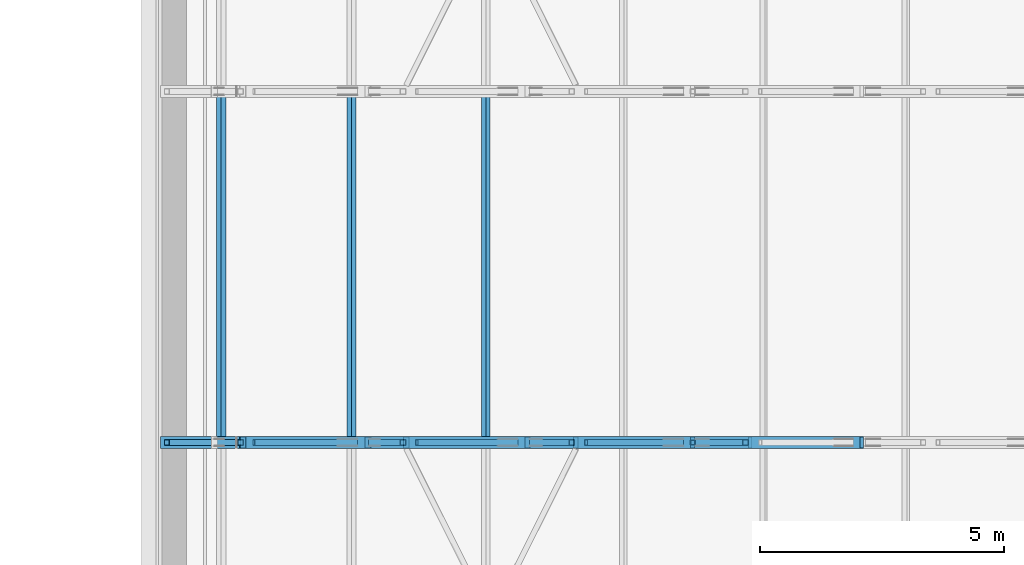
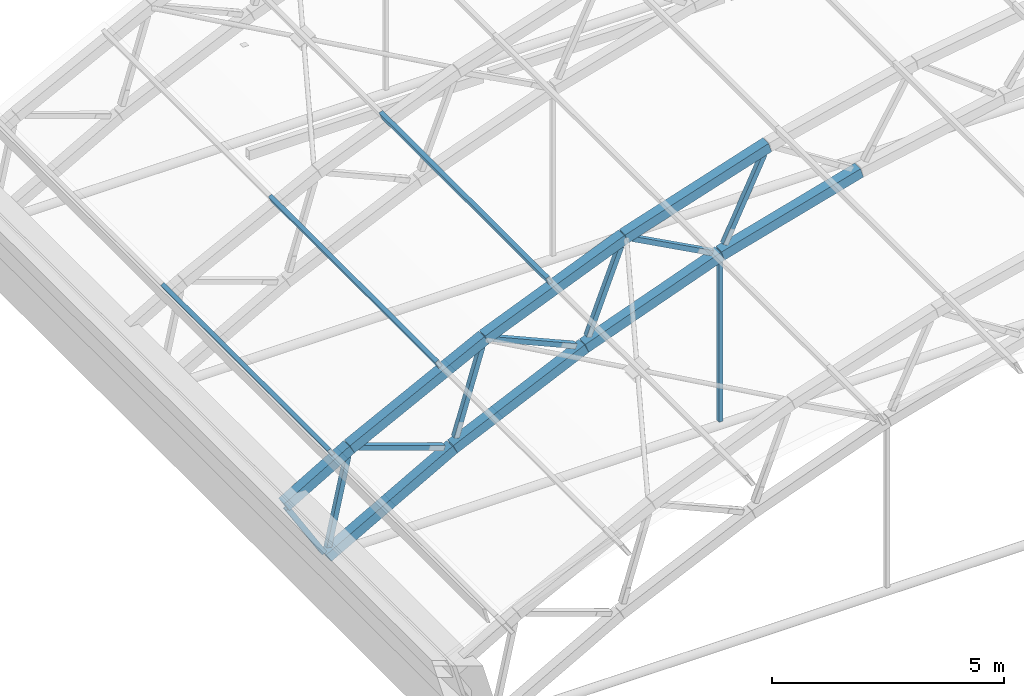
# One storey, part 11 of 127: 20 members.
"""IFC4 building model written with IfcOpenShell, lengths in metres."""

from ifc_helpers import new_model, si_unit, direction, frame, origin, origin_2d, place, context, subcontext, project, spatial, hollow_rectangle, extrude, material, material_profile, profile_set, type_object, element, save


model = new_model("IFC4")

# Units and contexts
model_context = context("Model", 3, precision=1e-05, world=origin(), true_north=direction((0.0, 1.0)))
body_context = subcontext(model_context, "Body", "Model", "MODEL_VIEW")
ifc_project = project(units=[si_unit("LENGTHUNIT", "METRE"), si_unit("AREAUNIT", "SQUARE_METRE"), si_unit("VOLUMEUNIT", "CUBIC_METRE"), si_unit("PLANEANGLEUNIT", "RADIAN"), si_unit("MASSUNIT", "GRAM", prefix="KILO")], contexts=[model_context])

# Site, building, storey
site_placement = place(None, origin())
site = spatial("IfcSite", under=ifc_project, at=site_placement, CompositionType="ELEMENT")
building_placement = place(site_placement, origin())
building = spatial("IfcBuilding", under=site, at=building_placement, Name="Verrick Yard Athletic Hall", CompositionType="ELEMENT")
storey_placement = place(building_placement, frame((0.0, 0.0, 14.0)))
storey = spatial("IfcBuildingStorey", under=building, at=storey_placement, Name="L03", CompositionType="ELEMENT", Elevation=14.0)

# Members
ifc_material = material(Name="Structural steel HSS Class C 350W (CSA G40.20/G40.21)", Category="steel")
ifc_material_profile_1 = material_profile(ifc_material, hollow_rectangle(XDim=0.25390625, YDim=0.25390625, WallThickness=0.009521484375, at=origin_2d()), Name="HSS254x254x9.5")
ifc_profile_set_1 = profile_set([ifc_material_profile_1], Name="Structural steel HSS Class C 350W (CSA G40.20/G40.21)")
member_type_1 = type_object("IfcMemberType", Name="HB bottom chord HSS254x254x9.5", PredefinedType="CHORD", material=ifc_profile_set_1)
member_1_placement = place(storey_placement, frame((28.0, 93.60009765625, 0.0), z_axis=(0.872881488331, 0.0, 0.4879322774), x_axis=(0.0, 1.0, 0.0)))
element("IfcMember", 1, at=member_1_placement, inside=storey, type_object=member_type_1, Name="Truss TB4 bottom chord 1", PredefinedType="CHORD", context=body_context, shape_type="SweptSolid", body=[
    extrude(hollow_rectangle(XDim=0.25390625, YDim=0.25390625, WallThickness=0.009521484375, at=origin_2d()), origin(), (0.0, 0.0, 1.0), 3.60107421875),
])
member_2_placement = place(storey_placement, frame((31.15234375, 93.60009765625, 1.761474609375), z_axis=(0.908445597889, 0.0, 0.418003104865), x_axis=(0.0, 1.0, 0.0)))
element("IfcMember", 2, at=member_2_placement, inside=storey, type_object=member_type_1, Name="Truss TB4 bottom chord 2", PredefinedType="CHORD", context=body_context, shape_type="SweptSolid", body=[
    extrude(hollow_rectangle(XDim=0.25390625, YDim=0.25390625, WallThickness=0.009521484375, at=origin_2d()), origin(), (0.0, 0.0, 1.0), 3.59619140625),
])
for number, where, z_axis, x_axis, name in (
    (3, (34.42822265625, 93.60009765625, 3.2685546875), (0.938394107905, 0.0, 0.345566922966), (0.0, 1.0, 0.0), "Truss TB4 bottom chord 3"),
    (4, (37.812255859375, 93.60009765625, 4.514404296875), (0.962572378456, 0.0, 0.271024752066), (0.0, 1.0, 0.0), "Truss TB4 bottom chord 4"),
):
    element("IfcMember", number, at=place(storey_placement, frame(where, z_axis=z_axis, x_axis=x_axis)), inside=storey, type_object=member_type_1, Name=name, PredefinedType="CHORD", context=body_context, shape_type="SweptSolid", body=[
        extrude(hollow_rectangle(XDim=0.25390625, YDim=0.25390625, WallThickness=0.009521484375, at=origin_2d()), origin(), (0.0, 0.0, 1.0), 3.595947265625),
    ])
ifc_material_profile_2 = material_profile(ifc_material, hollow_rectangle(XDim=0.1015625, YDim=0.203125, WallThickness=0.009521484375, at=origin_2d()), Name="HSS203x102x9.5")
ifc_profile_set_2 = profile_set([ifc_material_profile_2], Name="Structural steel HSS Class C 350W (CSA G40.20/G40.21)")
member_type_2 = type_object("IfcMemberType", Name="HB purlin HSS203x102x9.5", PredefinedType="PURLIN", material=ifc_profile_set_2)
for number, where, z_axis, x_axis, name in (
    (5, (28.1357421875, 93.60009765625, 2.660888671875), (0.0, 1.0, 0.0), (-0.86316809178, 0.0, -0.504916671673), "HB-PU-B-4-1"),
    (6, (30.81103515625, 93.60009765625, 4.046875), (0.0, 1.0, 0.0), (-0.891352741199, 0.0, -0.453310369126), "HB-PU-B-4-2"),
    (7, (33.56201171875, 93.60009765625, 5.2822265625), (0.0, 1.0, 0.0), (-0.924122791552, 0.0, -0.382095624331), "HB-PU-B-4-3"),
):
    element("IfcMember", number, at=place(storey_placement, frame(where, z_axis=z_axis, x_axis=x_axis)), inside=storey, type_object=member_type_2, Name=name, PredefinedType="PURLIN", context=body_context, shape_type="SweptSolid", body=[
        extrude(hollow_rectangle(XDim=0.1015625, YDim=0.203125, WallThickness=0.009521484375, at=origin_2d()), origin(), (0.0, 0.0, 1.0), 7.199951171875),
    ])
ifc_material_profile_3 = material_profile(ifc_material, hollow_rectangle(XDim=0.25390625, YDim=0.25390625, WallThickness=0.009521484375, at=origin_2d()), Name="HSS254x254x9.5")
ifc_profile_set_3 = profile_set([ifc_material_profile_3], Name="Structural steel HSS Class C 350W (CSA G40.20/G40.21)")
member_type_3 = type_object("IfcMemberType", Name="HB top chord HSS254x254x9.5", PredefinedType="CHORD", material=ifc_profile_set_3)
member_3_placement = place(storey_placement, frame((26.95654296875, 93.60009765625, 1.706298828125), z_axis=(0.863174775639, 0.0, 0.504905245269), x_axis=(0.0, 1.0, 0.0)))
element("IfcMember", 8, at=member_3_placement, inside=storey, type_object=member_type_3, Name="Truss TB4 top chord 1", PredefinedType="CHORD", context=body_context, shape_type="SweptSolid", body=[
    extrude(hollow_rectangle(XDim=0.25390625, YDim=0.25390625, WallThickness=0.009521484375, at=origin_2d()), origin(), (0.0, 0.0, 1.0), 1.878173828125),
])
member_4_placement = place(storey_placement, frame((28.584228515625, 93.60009765625, 2.657958984375), z_axis=(0.891336584454, 0.0, 0.453342137037), x_axis=(0.0, 1.0, 0.0)))
element("IfcMember", 9, at=member_4_placement, inside=storey, type_object=member_type_3, Name="Truss TB4 top chord 2", PredefinedType="CHORD", context=body_context, shape_type="SweptSolid", body=[
    extrude(hollow_rectangle(XDim=0.25390625, YDim=0.25390625, WallThickness=0.009521484375, at=origin_2d()), origin(), (0.0, 0.0, 1.0), 3.754150390625),
])
for number, where, z_axis, x_axis, name in (
    (10, (31.939453125, 93.60009765625, 4.364013671875), (0.924130129149, 0.0, 0.382077877402), (0.0, 1.0, 0.0), "Truss TB4 top chord 3"),
    (11, (35.4169921875, 93.60009765625, 5.80126953125), (0.951202693453, 0.0, 0.308566744754), (0.0, 1.0, 0.0), "Truss TB4 top chord 4"),
):
    element("IfcMember", number, at=place(storey_placement, frame(where, z_axis=z_axis, x_axis=x_axis)), inside=storey, type_object=member_type_3, Name=name, PredefinedType="CHORD", context=body_context, shape_type="SweptSolid", body=[
        extrude(hollow_rectangle(XDim=0.25390625, YDim=0.25390625, WallThickness=0.009521484375, at=origin_2d()), origin(), (0.0, 0.0, 1.0), 3.752685546875),
    ])
ifc_material_profile_4 = material_profile(ifc_material, hollow_rectangle(XDim=0.126953125, YDim=0.126953125, WallThickness=0.009521484375, at=origin_2d()), Name="HSS127x127x9.5")
ifc_profile_set_4 = profile_set([ifc_material_profile_4], Name="Structural steel HSS Class C 350W (CSA G40.20/G40.21)")
member_type_4 = type_object("IfcMemberType", Name="HB truss end post HSS127x127x9.5", PredefinedType="POST", material=ifc_profile_set_4)
member_5_placement = place(storey_placement, frame((27.932373046875, 93.60009765625, 0.110595703125), z_axis=(-0.521773101112, 0.0, 0.853084304718), x_axis=(0.0, -1.0, 0.0)))
element("IfcMember", 12, at=member_5_placement, inside=storey, type_object=member_type_4, Name="Truss TB4 end post 1", PredefinedType="POST", context=body_context, shape_type="SweptSolid", body=[
    extrude(hollow_rectangle(XDim=0.126953125, YDim=0.126953125, WallThickness=0.009521484375, at=origin_2d()), origin(), (0.0, 0.0, 1.0), 1.741943359375),
])
ifc_material_profile_5 = material_profile(ifc_material, hollow_rectangle(XDim=0.1015625, YDim=0.1015625, WallThickness=0.00634765625, at=origin_2d()), Name="HSS102x102x6.4")
ifc_profile_set_5 = profile_set([ifc_material_profile_5], Name="Structural steel HSS Class C 350W (CSA G40.20/G40.21)")
member_type_5 = type_object("IfcMemberType", Name="HB truss hanger HSS102x102x6.4", PredefinedType="MEMBER", material=ifc_profile_set_5)
member_6_placement = place(storey_placement, frame((37.807373046875, 93.60009765625, 4.35888671875), z_axis=(0.0, 0.0, -1.0), x_axis=(0.0, -1.0, 0.0)))
element("IfcMember", 13, at=member_6_placement, inside=storey, type_object=member_type_5, Name="Truss TB4 hanger 1", PredefinedType="MEMBER", context=body_context, shape_type="SweptSolid", body=[
    extrude(hollow_rectangle(XDim=0.1015625, YDim=0.1015625, WallThickness=0.00634765625, at=origin_2d()), origin(), (0.0, 0.0, 1.0), 4.249267578125),
])
ifc_material_profile_6 = material_profile(ifc_material, hollow_rectangle(XDim=0.126953125, YDim=0.126953125, WallThickness=0.009521484375, at=origin_2d()), Name="HSS127x127x9.5")
ifc_profile_set_6 = profile_set([ifc_material_profile_6], Name="Structural steel HSS Class C 350W (CSA G40.20/G40.21)")
member_type_6 = type_object("IfcMemberType", Name="HB truss web HSS127x127x9.5", PredefinedType="BRACE", material=ifc_profile_set_6)
member_7_placement = place(storey_placement, frame((28.04833984375, 93.60009765625, 0.220703125), z_axis=(0.213603528569, 0.0, 0.976920433087), x_axis=(0.0, 1.0, 0.0)))
element("IfcMember", 14, at=member_7_placement, inside=storey, type_object=member_type_6, Name="Truss end diagonal TB4-1", PredefinedType="BRACE", context=body_context, shape_type="SweptSolid", body=[
    extrude(hollow_rectangle(XDim=0.126953125, YDim=0.126953125, WallThickness=0.009521484375, at=origin_2d()), origin(), (0.0, 0.0, 1.0), 2.261962890625),
])
member_8_placement = place(storey_placement, frame((28.804443359375, 93.60009765625, 2.578369140625), z_axis=(0.944015035532, 0.0, -0.329902429045), x_axis=(0.0, 1.0, 0.0)))
element("IfcMember", 15, at=member_8_placement, inside=storey, type_object=member_type_6, Name="Truss TB4 web 2", PredefinedType="BRACE", context=body_context, shape_type="SweptSolid", body=[
    extrude(hollow_rectangle(XDim=0.126953125, YDim=0.126953125, WallThickness=0.009521484375, at=origin_2d()), origin(), (0.0, 0.0, 1.0), 2.2333984375),
])
for number, where, z_axis, x_axis, name in (
    (16, (31.2197265625, 93.60009765625, 1.99755859375), (0.289443070658, 0.0, 0.957195230268), (0.0, 1.0, 0.0), "Truss TB4 web 3"),
    (17, (32.151611328125, 93.60009765625, 4.2666015625), (0.915297302882, 0.0, -0.402778906272), (0.0, 1.0, 0.0), "Truss TB4 web 4"),
    (18, (34.513916015625, 93.60009765625, 3.49853515625), (0.363632709383, 0.0, 0.93154240519), (0.0, 1.0, 0.0), "Truss TB4 web 5"),
    (19, (35.620849609375, 93.60009765625, 5.687744140625), (0.880902446091, 0.0, -0.473297877103), (0.0, 1.0, 0.0), "Truss TB4 web 6"),
    (20, (37.915771484375, 93.60009765625, 4.73681640625), (0.435458074734, 0.0, 0.900209011924), (0.0, 1.0, 0.0), "Truss TB4 web 7"),
):
    element("IfcMember", number, at=place(storey_placement, frame(where, z_axis=z_axis, x_axis=x_axis)), inside=storey, type_object=member_type_6, Name=name, PredefinedType="BRACE", context=body_context, shape_type="SweptSolid", body=[
        extrude(hollow_rectangle(XDim=0.126953125, YDim=0.126953125, WallThickness=0.009521484375, at=origin_2d()), origin(), (0.0, 0.0, 1.0), 2.233642578125),
    ])

save(model, "model.ifc")
